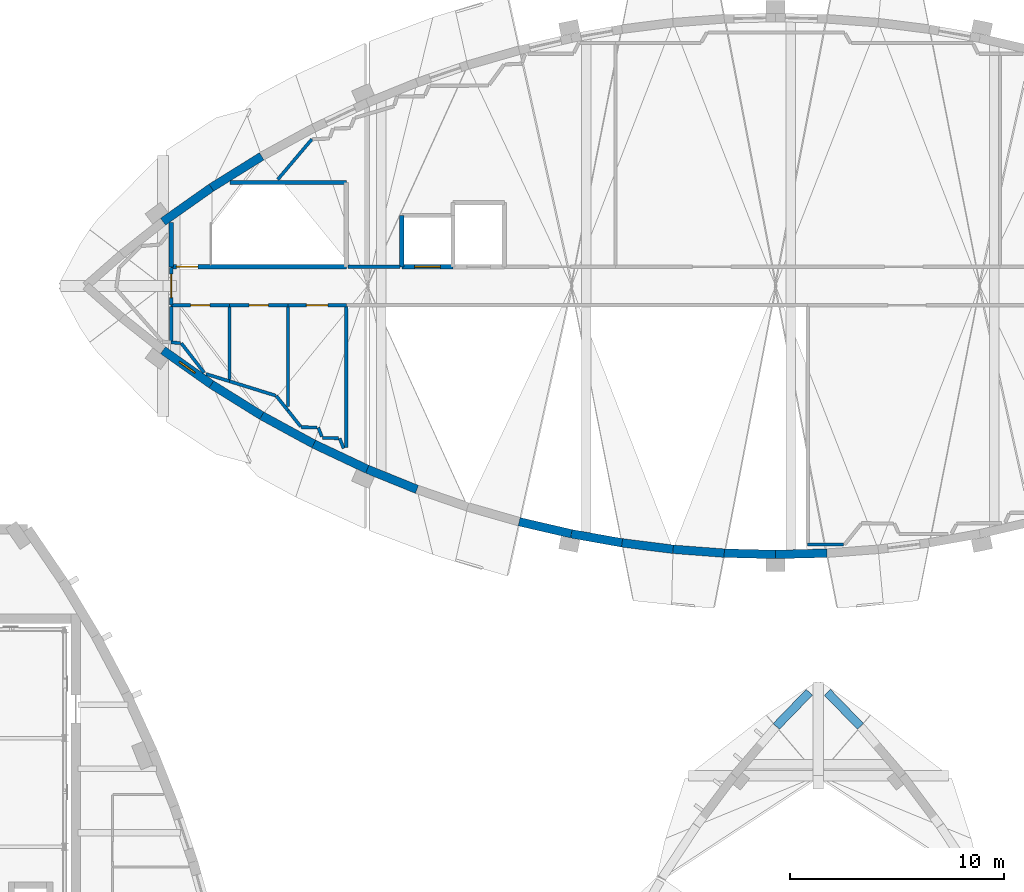
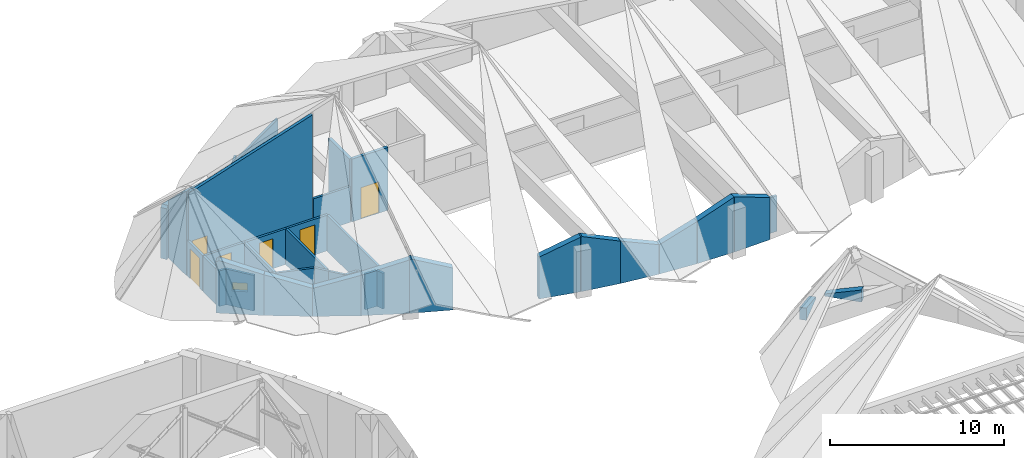
# One storey, part 44 of 56: 41 walls, 6 doors, 1 window, 7 openings.
"""IFC4 building model written with IfcOpenShell, lengths in metres."""

from ifc_helpers import new_model, si_unit, direction, frame, frame_2d, origin, place, context, subcontext, project, spatial, polyline, rectangle, outline, extrude, material, layer, layer_set, type_object, element, fill, save


model = new_model("IFC4")

# Units and contexts
model_context = context("Model", 3, precision=1e-05, world=origin(), true_north=direction((0.0, 1.0)))
body_context = subcontext(model_context, "Body", "Model", "MODEL_VIEW")
ifc_project = project(units=[si_unit("LENGTHUNIT", "METRE"), si_unit("AREAUNIT", "SQUARE_METRE"), si_unit("VOLUMEUNIT", "CUBIC_METRE"), si_unit("PLANEANGLEUNIT", "RADIAN"), si_unit("MASSUNIT", "GRAM", prefix="KILO")], contexts=[model_context])

# Site, building, storey
site_placement = place(None, origin())
site = spatial("IfcSite", under=ifc_project, at=site_placement, CompositionType="ELEMENT")
building_placement = place(site_placement, origin())
building = spatial("IfcBuilding", under=site, at=building_placement, Name="Tide Square Theatres", CompositionType="ELEMENT")
storey_placement = place(building_placement, frame((0.0, 0.0, 10.199951171875)))
storey = spatial("IfcBuildingStorey", under=building, at=storey_placement, Name="L02", CompositionType="ELEMENT", Elevation=10.199951171875)

# Walls
ifc_material_1 = material(Name="Gypsum board on steel studs", Category="steel")
ifc_layer_1 = layer(ifc_material_1, 0.14990234375)
ifc_layer_set_1 = layer_set([ifc_layer_1], Name="Gypsum board on steel studs")
wall_type_1 = type_object("IfcWallType", Name="Partition 150 thick", PredefinedType="PARTITIONING", material=ifc_layer_set_1)
wall_1_placement = place(storey_placement, frame((101.699951171875, 95.22998046875, 0.0), z_axis=(0.0, 0.0, 1.0), x_axis=(0.0, 1.0, 0.0)))
element("IfcWall", 1, at=wall_1_placement, inside=storey, type_object=wall_type_1, Name="Rehearsal Block partition", PredefinedType="PARTITIONING", context=body_context, shape_type="SweptSolid", body=[
    extrude(rectangle(XDim=1.610107421875, YDim=0.14990234375, at=frame_2d((0.80517578125, 0.0))), origin(), (0.0, 0.0, 1.0), 2.5),
])
wall_2_placement = place(storey_placement, frame((103.248779296875, 93.73974609375, 0.0), z_axis=(0.0, 0.0, 1.0), x_axis=(-0.614278072816, 0.789089633221, 0.0)))
element("IfcWall", 2, at=wall_2_placement, inside=storey, type_object=wall_type_1, Name="Rehearsal Block partition", PredefinedType="PARTITIONING", context=body_context, shape_type="SweptSolid", body=[
    extrude(rectangle(XDim=1.752685546875, YDim=0.14990234375, at=frame_2d((0.87646484375, 0.0))), origin(), (0.0, 0.0, 1.0), 2.5),
])
wall_3_placement = place(storey_placement, frame((102.13232421875, 95.1259765625, 0.0), z_axis=(0.0, 0.0, 1.0), x_axis=(-0.996890007863, 0.078805534218, 0.0)))
element("IfcWall", 3, at=wall_3_placement, inside=storey, type_object=wall_type_1, Name="Rehearsal Block partition", PredefinedType="PARTITIONING", context=body_context, shape_type="SweptSolid", body=[
    extrude(rectangle(XDim=0.433837890625, YDim=0.14990234375, at=frame_2d((0.216796875, 0.0))), origin(), (0.0, 0.0, 1.0), 2.5),
])

# Wall, opening, door
wall_4_placement = place(storey_placement, frame((104.433349609375, 96.89990234375, 0.0), z_axis=(0.0, 0.0, 1.0), x_axis=(-1.0, 0.0, 0.0)))
wall_4 = element("IfcWall", 4, at=wall_4_placement, inside=storey, type_object=wall_type_1, Name="Rehearsal Block partition", PredefinedType="PARTITIONING", context=body_context, shape_type="SweptSolid", body=[
    extrude(rectangle(XDim=2.7333984375, YDim=0.14990234375, at=frame_2d((1.36669921875, 0.0))), origin(), (0.0, 0.0, 1.0), 2.5),
])
opening_1_placement = place(wall_4_placement, frame((0.916748046875, 0.0, 0.0)))
opening_1 = element("IfcOpeningElement", 5, at=opening_1_placement, cuts=wall_4, Name="Opening R2-01", PredefinedType="OPENING", context=body_context, shape_type="SweptSolid", body=[
    extrude(rectangle(XDim=0.89990234375, YDim=2.10009765625, at=frame_2d((0.449951171875, 1.050048828125))), frame((0.0, 0.0849609375, 0.0), z_axis=(0.0, -1.0, 0.0), x_axis=(1.0, 0.0, 0.0)), (0.0, 0.0, 1.0), 0.169921875),
])
ifc_material_2 = material(Name="Hardwood timber", Category="wood")
door_type_1 = type_object("IfcDoorType", Name="Door 900 x 2100 single leaf", OperationType="NOTDEFINED", PredefinedType="DOOR", material=ifc_material_2)
door_1_placement = place(opening_1_placement, origin())
door_1 = element("IfcDoor", 6, at=door_1_placement, inside=storey, type_object=door_type_1, Name="Rehearsal Block door R2-01 to Gents WC W", OperationType="SINGLE_SWING_RIGHT", OverallHeight=2.10009765625, OverallWidth=0.89990234375, PredefinedType="DOOR", context=body_context, shape_type="SweptSolid", body=[
    extrude(rectangle(XDim=0.89990234375, YDim=2.10009765625, at=frame_2d((0.449951171875, 1.050048828125))), frame((0.0, 0.02490234375, 0.0), z_axis=(0.0, -1.0, 0.0), x_axis=(1.0, 0.0, 0.0)), (0.0, 0.0, 1.0), 0.050048828125),
])
fill(opening_1, door_1)

wall_5_placement = place(storey_placement, frame((101.699951171875, 96.89990234375, 0.0), z_axis=(0.0, 0.0, 1.0), x_axis=(0.0, 1.0, 0.0)))
wall_5 = element("IfcWall", 7, at=wall_5_placement, inside=storey, type_object=wall_type_1, Name="Rehearsal Block partition", PredefinedType="PARTITIONING", context=body_context, shape_type="SweptSolid", body=[
    extrude(rectangle(XDim=1.77001953125, YDim=0.14990234375, at=frame_2d((0.885009765625, 0.0))), origin(), (0.0, 0.0, 1.0), 2.5),
])
opening_2_placement = place(wall_5_placement, frame((0.35009765625, 0.0, 0.0)))
opening_2 = element("IfcOpeningElement", 8, at=opening_2_placement, cuts=wall_5, Name="Opening R2-07", PredefinedType="OPENING", context=body_context, shape_type="SweptSolid", body=[
    extrude(rectangle(XDim=1.10009765625, YDim=2.10009765625, at=frame_2d((0.550048828125, 1.050048828125))), frame((0.0, 0.0849609375, 0.0), z_axis=(0.0, -1.0, 0.0), x_axis=(1.0, 0.0, 0.0)), (0.0, 0.0, 1.0), 0.169921875),
])
ifc_material_3 = material(Name="Painted steel", Category="steel")
door_type_2 = type_object("IfcDoorType", Name="Door 1100 x 2100 single leaf", OperationType="NOTDEFINED", PredefinedType="DOOR", material=ifc_material_3)
door_2_placement = place(opening_2_placement, origin())
door_2 = element("IfcDoor", 9, at=door_2_placement, inside=storey, type_object=door_type_2, Name="Rehearsal Block door R2-07 to Plant Room W", OperationType="SINGLE_SWING_RIGHT", OverallHeight=2.10009765625, OverallWidth=1.10009765625, PredefinedType="DOOR", context=body_context, shape_type="SweptSolid", body=[
    extrude(rectangle(XDim=1.10009765625, YDim=2.10009765625, at=frame_2d((0.550048828125, 1.050048828125))), frame((0.0, 0.02490234375, 0.0), z_axis=(0.0, -1.0, 0.0), x_axis=(1.0, 0.0, 0.0)), (0.0, 0.0, 1.0), 0.050048828125),
])
fill(opening_2, door_2)

# Walls
wall_6_placement = place(storey_placement, frame((104.433349609375, 93.33935546875, 0.0), z_axis=(0.0, 0.0, 1.0), x_axis=(-0.955020738083, 0.296539019072, 0.0)))
element("IfcWall", 10, at=wall_6_placement, inside=storey, type_object=wall_type_1, Name="Rehearsal Block partition", PredefinedType="PARTITIONING", context=body_context, shape_type="SweptSolid", body=[
    extrude(rectangle(XDim=1.153564453125, YDim=0.14990234375, at=frame_2d((0.57666015625, 0.0))), origin(), (0.0, 0.0, 1.0), 2.5),
])
wall_7_placement = place(storey_placement, frame((104.433349609375, 96.840087890625, 0.0), z_axis=(0.0, 0.0, 1.0), x_axis=(0.0, -1.0, 0.0)))
element("IfcWall", 11, at=wall_7_placement, inside=storey, type_object=wall_type_1, Name="Rehearsal Block partition", PredefinedType="PARTITIONING", context=body_context, shape_type="SweptSolid", body=[
    extrude(rectangle(XDim=3.41064453125, YDim=0.14990234375, at=frame_2d((1.705322265625, 0.0))), origin(), (0.0, 0.0, 1.0), 2.5),
])
wall_8_placement = place(storey_placement, frame((107.166748046875, 91.971435546875, 0.0), z_axis=(0.0, 0.0, 1.0), x_axis=(-0.622427080418, 0.782677794218, 0.0)))
element("IfcWall", 12, at=wall_8_placement, inside=storey, type_object=wall_type_1, Name="Rehearsal Block partition", PredefinedType="PARTITIONING", context=body_context, shape_type="SweptSolid", body=[
    extrude(rectangle(XDim=0.880615234375, YDim=0.14990234375, at=frame_2d((0.4404296875, 0.0))), origin(), (0.0, 0.0, 1.0), 2.5),
])
wall_9_placement = place(storey_placement, frame((106.590087890625, 92.66943359375, 0.0), z_axis=(0.0, 0.0, 1.0), x_axis=(-0.954990240033, 0.296637221944, 0.0)))
element("IfcWall", 13, at=wall_9_placement, inside=storey, type_object=wall_type_1, Name="Rehearsal Block partition", PredefinedType="PARTITIONING", context=body_context, shape_type="SweptSolid", body=[
    extrude(rectangle(XDim=2.25830078125, YDim=0.14990234375, at=frame_2d((1.129150390625, 0.0))), origin(), (0.0, 0.0, 1.0), 2.5),
])

# Wall, opening, door
wall_10_placement = place(storey_placement, frame((107.166748046875, 96.89990234375, 0.0), z_axis=(0.0, 0.0, 1.0), x_axis=(-1.0, 0.0, 0.0)))
wall_10 = element("IfcWall", 14, at=wall_10_placement, inside=storey, type_object=wall_type_1, Name="Rehearsal Block partition", PredefinedType="PARTITIONING", context=body_context, shape_type="SweptSolid", body=[
    extrude(rectangle(XDim=2.7333984375, YDim=0.14990234375, at=frame_2d((1.36669921875, 0.0))), origin(), (0.0, 0.0, 1.0), 2.5),
])
opening_3_placement = place(wall_10_placement, frame((0.916748046875, 0.0, 0.0)))
opening_3 = element("IfcOpeningElement", 15, at=opening_3_placement, cuts=wall_10, Name="Opening R2-02", PredefinedType="OPENING", context=body_context, shape_type="SweptSolid", body=[
    extrude(rectangle(XDim=0.89990234375, YDim=2.10009765625, at=frame_2d((0.449951171875, 1.050048828125))), frame((0.0, 0.0849609375, 0.0), z_axis=(0.0, -1.0, 0.0), x_axis=(1.0, 0.0, 0.0)), (0.0, 0.0, 1.0), 0.169921875),
])
door_3_placement = place(opening_3_placement, origin())
door_3 = element("IfcDoor", 16, at=door_3_placement, inside=storey, type_object=door_type_1, Name="Rehearsal Block door R2-02 to Ladies WC W", OperationType="SINGLE_SWING_RIGHT", OverallHeight=2.10009765625, OverallWidth=0.89990234375, PredefinedType="DOOR", context=body_context, shape_type="SweptSolid", body=[
    extrude(rectangle(XDim=0.89990234375, YDim=2.10009765625, at=frame_2d((0.449951171875, 1.050048828125))), frame((0.0, 0.02490234375, 0.0), z_axis=(0.0, -1.0, 0.0), x_axis=(1.0, 0.0, 0.0)), (0.0, 0.0, 1.0), 0.050048828125),
])
fill(opening_3, door_3)

# Walls
wall_11_placement = place(storey_placement, frame((106.68798828125, 102.78369140625, 0.0), z_axis=(0.0, 0.0, 1.0), x_axis=(0.646512930944, 0.762903027994, 0.0)))
element("IfcWall", 17, at=wall_11_placement, inside=storey, type_object=wall_type_1, Name="Rehearsal Block partition", PredefinedType="PARTITIONING", context=body_context, shape_type="SweptSolid", body=[
    extrude(rectangle(XDim=2.47314453125, YDim=0.14990234375, at=frame_2d((1.236572265625, 0.0))), origin(), (0.0, 0.0, 1.0), 2.5),
])
wall_12_placement = place(storey_placement, frame((107.166748046875, 96.840087890625, 0.0), z_axis=(0.0, 0.0, 1.0), x_axis=(0.0, -1.0, 0.0)))
element("IfcWall", 18, at=wall_12_placement, inside=storey, type_object=wall_type_1, Name="Rehearsal Block partition", PredefinedType="PARTITIONING", context=body_context, shape_type="SweptSolid", body=[
    extrude(rectangle(XDim=4.6787109375, YDim=0.14990234375, at=frame_2d((2.33935546875, 0.0))), origin(), (0.0, 0.0, 1.0), 2.5),
])
wall_13_placement = place(storey_placement, frame((109.776123046875, 90.198486328125, 0.0), z_axis=(0.0, 0.0, 1.0), x_axis=(-0.372303942527, 0.928110863194, 0.0)))
element("IfcWall", 19, at=wall_13_placement, inside=storey, type_object=wall_type_1, Name="Rehearsal Block partition", PredefinedType="PARTITIONING", context=body_context, shape_type="SweptSolid", body=[
    extrude(rectangle(XDim=0.5068359375, YDim=0.14990234375, at=frame_2d((0.25341796875, 0.0))), origin(), (0.0, 0.0, 1.0), 2.5),
])
wall_14_placement = place(storey_placement, frame((109.53759765625, 90.67041015625, 0.0), z_axis=(0.0, 0.0, 1.0), x_axis=(-0.999590248074, 0.02862404507, 0.0)))
element("IfcWall", 20, at=wall_14_placement, inside=storey, type_object=wall_type_1, Name="Rehearsal Block partition", PredefinedType="PARTITIONING", context=body_context, shape_type="SweptSolid", body=[
    extrude(rectangle(XDim=0.759033203125, YDim=0.14990234375, at=frame_2d((0.37939453125, 0.0))), origin(), (0.0, 0.0, 1.0), 2.5),
])
wall_15_placement = place(storey_placement, frame((108.75634765625, 90.747802734375, 0.0), z_axis=(0.0, 0.0, 1.0), x_axis=(-0.372318132343, 0.928105170942, 0.0)))
element("IfcWall", 21, at=wall_15_placement, inside=storey, type_object=wall_type_1, Name="Rehearsal Block partition", PredefinedType="PARTITIONING", context=body_context, shape_type="SweptSolid", body=[
    extrude(rectangle(XDim=0.453857421875, YDim=0.14990234375, at=frame_2d((0.22705078125, 0.0))), origin(), (0.0, 0.0, 1.0), 2.5),
])
wall_16_placement = place(storey_placement, frame((108.53759765625, 91.17041015625, 0.0), z_axis=(0.0, 0.0, 1.0), x_axis=(-0.999591291149, 0.028587596237, 0.0)))
element("IfcWall", 22, at=wall_16_placement, inside=storey, type_object=wall_type_1, Name="Rehearsal Block partition", PredefinedType="PARTITIONING", context=body_context, shape_type="SweptSolid", body=[
    extrude(rectangle(XDim=0.75146484375, YDim=0.14990234375, at=frame_2d((0.375732421875, 0.0))), origin(), (0.0, 0.0, 1.0), 2.5),
])
wall_17_placement = place(storey_placement, frame((107.761474609375, 91.22314453125, 0.0), z_axis=(0.0, 0.0, 1.0), x_axis=(-0.622199976872, 0.782858345284, 0.0)))
element("IfcWall", 23, at=wall_17_placement, inside=storey, type_object=wall_type_1, Name="Rehearsal Block partition", PredefinedType="PARTITIONING", context=body_context, shape_type="SweptSolid", body=[
    extrude(rectangle(XDim=0.955810546875, YDim=0.14990234375, at=frame_2d((0.47802734375, 0.0))), origin(), (0.0, 0.0, 1.0), 2.5),
])

# Wall, opening, door
wall_18_placement = place(storey_placement, frame((109.89990234375, 96.89990234375, 0.0), z_axis=(0.0, 0.0, 1.0), x_axis=(-1.0, 0.0, 0.0)))
wall_18 = element("IfcWall", 24, at=wall_18_placement, inside=storey, type_object=wall_type_1, Name="Rehearsal Block partition", PredefinedType="PARTITIONING", context=body_context, shape_type="SweptSolid", body=[
    extrude(rectangle(XDim=2.733154296875, YDim=0.14990234375, at=frame_2d((1.36669921875, 0.0))), origin(), (0.0, 0.0, 1.0), 2.5),
])
opening_4_placement = place(wall_18_placement, frame((0.86669921875, 0.0, 0.0)))
opening_4 = element("IfcOpeningElement", 25, at=opening_4_placement, cuts=wall_18, Name="Opening R2-03", PredefinedType="OPENING", context=body_context, shape_type="SweptSolid", body=[
    extrude(rectangle(XDim=1.0, YDim=2.10009765625, at=frame_2d((0.5, 1.050048828125))), frame((0.0, 0.0849609375, 0.0), z_axis=(0.0, -1.0, 0.0), x_axis=(1.0, 0.0, 0.0)), (0.0, 0.0, 1.0), 0.169921875),
])
ifc_material_4 = material(Name="Hardwood timber", Category="wood")
door_type_3 = type_object("IfcDoorType", Name="Door 1000 x 2100 single leaf", OperationType="NOTDEFINED", PredefinedType="DOOR", material=ifc_material_4)
door_4_placement = place(opening_4_placement, origin())
door_4 = element("IfcDoor", 26, at=door_4_placement, inside=storey, type_object=door_type_3, Name="Rehearsal Block door R2-03 to Accessible WC W", OperationType="SINGLE_SWING_RIGHT", OverallHeight=2.10009765625, OverallWidth=1.0, PredefinedType="DOOR", context=body_context, shape_type="SweptSolid", body=[
    extrude(rectangle(XDim=1.0, YDim=2.10009765625, at=frame_2d((0.5, 1.050048828125))), frame((0.0, 0.02490234375, 0.0), z_axis=(0.0, -1.0, 0.0), x_axis=(1.0, 0.0, 0.0)), (0.0, 0.0, 1.0), 0.050048828125),
])
fill(opening_4, door_4)

# Walls
wall_19_placement = place(storey_placement, frame((109.89990234375, 96.840087890625, 0.0), z_axis=(0.0, 0.0, 1.0), x_axis=(0.0, -1.0, 0.0)))
element("IfcWall", 27, at=wall_19_placement, inside=storey, type_object=wall_type_1, Name="Rehearsal Block partition", PredefinedType="PARTITIONING", context=body_context, shape_type="SweptSolid", body=[
    extrude(rectangle(XDim=6.6083984375, YDim=0.14990234375, at=frame_2d((3.30419921875, 0.0))), origin(), (0.0, 0.0, 1.0), 2.5),
])
wall_20_placement = place(storey_placement, frame((109.97998046875, 98.699951171875, 0.0), z_axis=(0.0, 0.0, 1.0), x_axis=(1.0, 0.0, 0.0)))
element("IfcWall", 28, at=wall_20_placement, inside=storey, type_object=wall_type_1, Name="Rehearsal Block partition", PredefinedType="PARTITIONING", context=body_context, shape_type="SweptSolid", body=[
    extrude(rectangle(XDim=2.43994140625, YDim=0.14990234375, at=frame_2d((1.219970703125, 0.0))), origin(), (0.0, 0.0, 1.0), 2.5),
])
wall_21_placement = place(storey_placement, frame((133.17529296875, 85.691650390625, 0.0), z_axis=(0.0, 0.0, 1.0), x_axis=(-1.0, 0.0, 0.0)))
element("IfcWall", 29, at=wall_21_placement, inside=storey, type_object=wall_type_1, Name="Rehearsal Block partition", PredefinedType="PARTITIONING", context=body_context, shape_type="SweptSolid", body=[
    extrude(rectangle(XDim=1.67529296875, YDim=0.14990234375, at=frame_2d((0.837646484375, 0.0))), origin(), (0.0, 0.0, 1.0), 2.5),
])
ifc_material_5 = material(Name="Concrete C40", Category="concrete")
ifc_layer_2 = layer(ifc_material_5, 0.39990234375)
ifc_layer_set_2 = layer_set([ifc_layer_2], Name="Concrete C40")
wall_type_2 = type_object("IfcWallType", Name="RC curved wall 400 thick", PredefinedType="SOLIDWALL", material=ifc_layer_set_2)
wall_22_placement = place(storey_placement, frame((133.967529296875, 77.184814453125, 0.0), z_axis=(0.0, 0.0, 1.0), x_axis=(-0.696298740518, 0.717752090873, 0.0)))
element("IfcWall", 30, at=wall_22_placement, inside=storey, type_object=wall_type_2, Name="Black Box Theatre perimeter wall", PredefinedType="SOLIDWALL", context=body_context, shape_type="SweptSolid", body=[
    extrude(outline(polyline([(0.0, 0.0), (2.218994140625, 0.0), (2.218994140625, 0.150146484375), (0.0, 0.854736328125), (0.0, 0.0)])), frame((0.0, 0.199951171875, 0.0), z_axis=(0.0, -1.0, 0.0), x_axis=(1.0, 0.0, 0.0)), (0.0, 0.0, 1.0), 0.39990234375),
])
wall_23_placement = place(storey_placement, frame((131.578125, 78.778076171875, 0.0), z_axis=(0.0, 0.0, 1.0), x_axis=(-0.696302127587, -0.717748805028, 0.0)))
element("IfcWall", 31, at=wall_23_placement, inside=storey, type_object=wall_type_2, Name="Black Box Theatre perimeter wall", PredefinedType="SOLIDWALL", context=body_context, shape_type="SweptSolid", body=[
    extrude(outline(polyline([(0.0, 0.0), (2.2197265625, 0.0), (2.2197265625, 0.85546875), (2.20751953125, 0.85302734375), (0.0, 0.150146484375), (0.0, 0.0)])), frame((0.0, 0.199951171875, 0.0), z_axis=(0.0, -1.0, 0.0), x_axis=(1.0, 0.0, 0.0)), (0.0, 0.0, 1.0), 0.39990234375),
])

# Wall, opening, window
wall_24_placement = place(storey_placement, frame((101.31982421875, 94.79150390625, 0.0), z_axis=(0.0, 0.0, 1.0), x_axis=(0.817028877428, -0.576596751161, 0.0)))
wall_24 = element("IfcWall", 32, at=wall_24_placement, inside=storey, type_object=wall_type_2, Name="Rehearsal Block perimeter wall 002", PredefinedType="SOLIDWALL", context=body_context, shape_type="SweptSolid", body=[
    extrude(outline(polyline([(0.0, 0.0), (2.772216796875, 0.0), (2.772216796875, 2.848388671875), (2.405517578125, 2.967529296875), (0.310546875, 3.6474609375), (0.16943359375, 3.693359375), (0.0, 3.554931640625), (0.0, 0.0)])), frame((0.0, 0.199951171875, 0.0), z_axis=(0.0, -1.0, 0.0), x_axis=(1.0, 0.0, 0.0)), (0.0, 0.0, 1.0), 0.39990234375),
])
opening_5_placement = place(wall_24_placement, frame((0.93603515625, 0.0, 1.60009765625)))
opening_5 = element("IfcOpeningElement", 33, at=opening_5_placement, cuts=wall_24, Name="Opening WN-12", PredefinedType="OPENING", context=body_context, shape_type="SweptSolid", body=[
    extrude(rectangle(XDim=0.89990234375, YDim=0.60009765625, at=frame_2d((0.449951171875, 0.300048828125))), frame((0.0, 0.2099609375, 0.0), z_axis=(0.0, -1.0, 0.0), x_axis=(1.0, 0.0, 0.0)), (0.0, 0.0, 1.0), 0.419921875),
])
ifc_material_6 = material(Name="Aluminium with laminated glass", Category="aluminium")
window_type = type_object("IfcWindowType", Name="Window 900 x 600", PartitioningType="SINGLE_PANEL", PredefinedType="WINDOW", material=ifc_material_6)
window_placement = place(opening_5_placement, origin())
window = element("IfcWindow", 34, at=window_placement, inside=storey, type_object=window_type, Name="Rehearsal Block window L02-91", OverallHeight=0.60009765625, OverallWidth=0.89990234375, PartitioningType="SINGLE_PANEL", PredefinedType="WINDOW", context=body_context, shape_type="SweptSolid", body=[
    extrude(rectangle(XDim=0.89990234375, YDim=0.60009765625, at=frame_2d((0.449951171875, 0.300048828125))), frame((0.0, 0.030029296875, 0.0), z_axis=(0.0, -1.0, 0.0), x_axis=(1.0, 0.0, 0.0)), (0.0, 0.0, 1.0), 0.06005859375),
])
fill(opening_5, window)

# Walls
wall_25_placement = place(storey_placement, frame((103.584716796875, 93.193115234375, 0.0), z_axis=(0.0, 0.0, 1.0), x_axis=(0.84912946359, -0.528184772653, 0.0)))
element("IfcWall", 35, at=wall_25_placement, inside=storey, type_object=wall_type_2, Name="Rehearsal Block perimeter wall 003", PredefinedType="SOLIDWALL", context=body_context, shape_type="SweptSolid", body=[
    extrude(outline(polyline([(0.0, 0.0), (2.77197265625, 0.0), (2.771728515625, 1.969970703125), (2.24658203125, 2.140380859375), (0.32080078125, 2.75732421875), (0.0, 2.844970703125), (0.0, 0.0)])), frame((0.0, 0.199951171875, 0.0), z_axis=(0.0, -1.0, 0.0), x_axis=(1.0, 0.0, 0.0)), (0.0, 0.0, 1.0), 0.39990234375),
])
wall_26_placement = place(storey_placement, frame((105.9384765625, 91.72900390625, 0.0), z_axis=(0.0, 0.0, 1.0), x_axis=(0.878292493566, -0.478123724308, 0.0)))
element("IfcWall", 36, at=wall_26_placement, inside=storey, type_object=wall_type_2, Name="Rehearsal Block perimeter wall 004", PredefinedType="SOLIDWALL", context=body_context, shape_type="SweptSolid", body=[
    extrude(outline(polyline([(0.0, 0.0), (2.771728515625, 0.0), (2.771728515625, 2.833251953125), (2.737060546875, 2.82177734375), (0.0, 1.96630859375), (0.0, 0.0)])), frame((0.0, 0.199951171875, 0.0), z_axis=(0.0, -1.0, 0.0), x_axis=(1.0, 0.0, 0.0)), (0.0, 0.0, 1.0), 0.39990234375),
])
wall_27_placement = place(storey_placement, frame((108.372802734375, 90.40380859375, 0.0), z_axis=(0.0, 0.0, 1.0), x_axis=(0.904527098751, -0.42641614372, 0.0)))
element("IfcWall", 37, at=wall_27_placement, inside=storey, type_object=wall_type_2, Name="Rehearsal Block perimeter wall 005", PredefinedType="SOLIDWALL", context=body_context, shape_type="SweptSolid", body=[
    extrude(outline(polyline([(0.0, 0.0), (2.772216796875, 0.0), (2.772216796875, 3.741943359375), (2.752685546875, 3.735595703125), (2.658447265625, 3.705078125), (2.564208984375, 3.674560546875), (0.0, 2.837158203125), (0.0, 0.0)])), frame((0.0, 0.199951171875, 0.0), z_axis=(0.0, -1.0, 0.0), x_axis=(1.0, 0.0, 0.0)), (0.0, 0.0, 1.0), 0.39990234375),
])
wall_28_placement = place(storey_placement, frame((110.88037109375, 89.2216796875, 0.0), z_axis=(0.0, 0.0, 1.0), x_axis=(0.926722795862, -0.375745738007, 0.0)))
element("IfcWall", 38, at=wall_28_placement, inside=storey, type_object=wall_type_2, Name="Rehearsal Block perimeter wall 006", PredefinedType="SOLIDWALL", context=body_context, shape_type="SweptSolid", body=[
    extrude(outline(polyline([(0.0, 0.0), (2.5107421875, 0.0), (2.5107421875, 2.939697265625), (2.36669921875, 2.991455078125), (0.192138671875, 3.770751953125), (0.111083984375, 3.800048828125), (0.0, 3.745849609375), (0.0, 0.0)])), frame((0.0, 0.199951171875, 0.0), z_axis=(0.0, -1.0, 0.0), x_axis=(1.0, 0.0, 0.0)), (0.0, 0.0, 1.0), 0.39990234375),
])
wall_29_placement = place(storey_placement, frame((117.99365234375, 86.763671875, 0.0), z_axis=(0.0, 0.0, 1.0), x_axis=(0.974210649093, -0.225640446716, 0.0)))
element("IfcWall", 39, at=wall_29_placement, inside=storey, type_object=wall_type_2, Name="Rehearsal Block perimeter wall 009", PredefinedType="SOLIDWALL", context=body_context, shape_type="SweptSolid", body=[
    extrude(outline(polyline([(0.0, 0.0), (2.51123046875, 0.0), (2.51123046875, 3.828857421875), (2.4716796875, 3.814697265625), (2.379150390625, 3.781494140625), (0.0, 2.9267578125), (0.0, 0.0)])), frame((0.0, 0.199951171875, 0.0), z_axis=(0.0, -1.0, 0.0), x_axis=(1.0, 0.0, 0.0)), (0.0, 0.0, 1.0), 0.39990234375),
])
wall_30_placement = place(storey_placement, frame((120.440185546875, 86.197021484375, 0.0), z_axis=(0.0, 0.0, 1.0), x_axis=(0.984524011381, -0.175249738987, 0.0)))
element("IfcWall", 40, at=wall_30_placement, inside=storey, type_object=wall_type_2, Name="Rehearsal Block perimeter wall 010", PredefinedType="SOLIDWALL", context=body_context, shape_type="SweptSolid", body=[
    extrude(outline(polyline([(0.0, 0.0), (2.406005859375, 0.0), (2.406005859375, 2.97314453125), (2.328125, 3.002197265625), (0.084716796875, 3.841552734375), (0.0, 3.832763671875), (0.0, 0.0)])), frame((0.0, 0.199951171875, 0.0), z_axis=(0.0, -1.0, 0.0), x_axis=(1.0, 0.0, 0.0)), (0.0, 0.0, 1.0), 0.39990234375),
])
wall_31_placement = place(storey_placement, frame((122.808837890625, 85.775390625, 0.0), z_axis=(0.0, 0.0, 1.0), x_axis=(0.99208939311, -0.125533406227, 0.0)))
element("IfcWall", 41, at=wall_31_placement, inside=storey, type_object=wall_type_2, Name="Rehearsal Block perimeter wall 011", PredefinedType="SOLIDWALL", context=body_context, shape_type="SweptSolid", body=[
    extrude(outline(polyline([(0.0, 0.0), (2.40576171875, 0.0), (2.406005859375, 2.0703125), (2.298095703125, 2.110595703125), (0.06640625, 2.945556640625), (0.0, 2.969482421875), (0.0, 0.0)])), frame((0.0, 0.199951171875, 0.0), z_axis=(0.0, -1.0, 0.0), x_axis=(1.0, 0.0, 0.0)), (0.0, 0.0, 1.0), 0.39990234375),
])
wall_32_placement = place(storey_placement, frame((125.195556640625, 85.473388671875, 0.0), z_axis=(0.0, 0.0, 1.0), x_axis=(0.997146276918, -0.075493724435, 0.0)))
element("IfcWall", 42, at=wall_32_placement, inside=storey, type_object=wall_type_2, Name="Rehearsal Block perimeter wall 012", PredefinedType="SOLIDWALL", context=body_context, shape_type="SweptSolid", body=[
    extrude(outline(polyline([(0.0, 0.0), (2.406005859375, 0.0), (2.406005859375, 2.955322265625), (2.383056640625, 2.947265625), (0.06103515625, 2.077392578125), (0.0, 2.066650390625), (0.0, 0.0)])), frame((0.0, 0.199951171875, 0.0), z_axis=(0.0, -1.0, 0.0), x_axis=(1.0, 0.0, 0.0)), (0.0, 0.0, 1.0), 0.39990234375),
])
wall_33_placement = place(storey_placement, frame((127.5947265625, 85.291748046875, 0.0), z_axis=(0.0, 0.0, 1.0), x_axis=(0.999683321759, -0.025164582196, 0.0)))
element("IfcWall", 43, at=wall_33_placement, inside=storey, type_object=wall_type_2, Name="Rehearsal Block perimeter wall 013", PredefinedType="SOLIDWALL", context=body_context, shape_type="SweptSolid", body=[
    extrude(outline(polyline([(0.0, 0.0), (2.406005859375, 0.0), (2.406005859375, 3.85888671875), (2.33251953125, 3.831298828125), (0.0, 2.958740234375), (0.0, 0.0)])), frame((0.0, 0.199951171875, 0.0), z_axis=(0.0, -1.0, 0.0), x_axis=(1.0, 0.0, 0.0)), (0.0, 0.0, 1.0), 0.39990234375),
])
wall_34_placement = place(storey_placement, frame((130.0, 85.231201171875, 0.0), z_axis=(0.0, 0.0, 1.0), x_axis=(0.999683321759, 0.025164582196, 0.0)))
element("IfcWall", 44, at=wall_34_placement, inside=storey, type_object=wall_type_2, Name="Rehearsal Block perimeter wall 014", PredefinedType="SOLIDWALL", context=body_context, shape_type="SweptSolid", body=[
    extrude(outline(polyline([(0.0, 0.0), (2.406005859375, 0.0), (2.406005859375, 2.958740234375), (2.372802734375, 2.971435546875), (0.0634765625, 3.835205078125), (0.0, 3.85888671875), (0.0, 0.0)])), frame((0.0, 0.199951171875, 0.0), z_axis=(0.0, -1.0, 0.0), x_axis=(1.0, 0.0, 0.0)), (0.0, 0.0, 1.0), 0.39990234375),
])
wall_35_placement = place(storey_placement, frame((105.9384765625, 103.870849609375, 0.0), z_axis=(0.0, 0.0, 1.0), x_axis=(-0.84912946359, -0.528184772653, 0.0)))
element("IfcWall", 45, at=wall_35_placement, inside=storey, type_object=wall_type_2, Name="Rehearsal Block perimeter wall 052", PredefinedType="SOLIDWALL", context=body_context, shape_type="SweptSolid", body=[
    extrude(outline(polyline([(0.0, 0.0), (2.77197265625, 0.0), (2.771728515625, 2.844970703125), (2.450927734375, 2.765625), (0.525146484375, 2.140380859375), (0.0, 1.969970703125), (0.0, 0.0)])), frame((0.0, 0.199951171875, 0.0), z_axis=(0.0, -1.0, 0.0), x_axis=(1.0, 0.0, 0.0)), (0.0, 0.0, 1.0), 0.39990234375),
])
wall_36_placement = place(storey_placement, frame((103.584716796875, 102.40673828125, 0.0), z_axis=(0.0, 0.0, 1.0), x_axis=(-0.817070367038, -0.57653795652, 0.0)))
element("IfcWall", 46, at=wall_36_placement, inside=storey, type_object=wall_type_2, Name="Rehearsal Block perimeter wall 053", PredefinedType="SOLIDWALL", context=body_context, shape_type="SweptSolid", body=[
    extrude(outline(polyline([(0.0, 0.0), (2.77197265625, 0.0), (2.772216796875, 3.554931640625), (2.743896484375, 3.567626953125), (2.602783203125, 3.693359375), (2.461669921875, 3.6474609375), (0.36669921875, 2.967529296875), (0.0, 2.848388671875), (0.0, 0.0)])), frame((0.0, 0.199951171875, 0.0), z_axis=(0.0, -1.0, 0.0), x_axis=(1.0, 0.0, 0.0)), (0.0, 0.0, 1.0), 0.39990234375),
])
ifc_material_7 = material(Name="Concrete C40", Category="concrete")
ifc_layer_3 = layer(ifc_material_7, 0.199951171875)
ifc_layer_set_3 = layer_set([ifc_layer_3], Name="Concrete C40")
wall_type_3 = type_object("IfcWallType", Name="RC shear wall 200 thick", PredefinedType="SHEAR", material=ifc_layer_set_3)
wall_37_placement = place(storey_placement, frame((104.448974609375, 102.64990234375, 0.0), z_axis=(0.0, 0.0, 1.0), x_axis=(1.0, 0.0, 0.0)))
element("IfcWall", 47, at=wall_37_placement, inside=storey, type_object=wall_type_3, Name="Rehearsal Block stair enclosure wall", PredefinedType="SHEAR", context=body_context, shape_type="SweptSolid", body=[
    extrude(outline(polyline([(0.0, 0.0), (5.450927734375, 0.0), (5.450927734375, 5.721435546875), (4.82080078125, 5.29345703125), (4.753173828125, 5.243896484375), (2.564697265625, 3.646240234375), (2.483154296875, 3.5869140625), (2.40185546875, 3.51904296875), (0.63671875, 2.948486328125), (0.560546875, 2.959228515625), (0.484375, 2.947509765625), (0.0, 2.87158203125), (0.0, 0.0)])), frame((0.0, 0.10009765625, 0.0), z_axis=(0.0, -1.0, 0.0), x_axis=(1.0, 0.0, 0.0)), (0.0, 0.0, 1.0), 0.199951171875),
])

# Wall, opening, door
wall_38_placement = place(storey_placement, frame((109.89990234375, 98.699951171875, 0.0), z_axis=(0.0, 0.0, 1.0), x_axis=(-1.0, 0.0, 0.0)))
wall_38 = element("IfcWall", 48, at=wall_38_placement, inside=storey, type_object=wall_type_3, Name="Rehearsal Block stair enclosure wall", PredefinedType="SHEAR", context=body_context, shape_type="SweptSolid", body=[
    extrude(outline(polyline([(0.0, 0.0), (8.199951171875, 0.0), (8.199951171875, 5.845458984375), (8.18701171875, 5.8486328125), (8.08837890625, 5.881103515625), (7.9716796875, 5.8994140625), (7.8955078125, 5.911376953125), (7.8193359375, 5.900634765625), (0.0, 8.42724609375), (0.0, 0.0)])), frame((0.0, 0.10009765625, 0.0), z_axis=(0.0, -1.0, 0.0), x_axis=(1.0, 0.0, 0.0)), (0.0, 0.0, 1.0), 0.199951171875),
])
opening_6_placement = place(wall_38_placement, frame((6.949951171875, 0.0, 0.0)))
opening_6 = element("IfcOpeningElement", 49, at=opening_6_placement, cuts=wall_38, Name="Opening R2-15", PredefinedType="OPENING", context=body_context, shape_type="SweptSolid", body=[
    extrude(rectangle(XDim=1.0, YDim=2.39990234375, at=frame_2d((0.5, 1.199951171875))), frame((0.0, 0.10986328125, 0.0), z_axis=(0.0, -1.0, 0.0), x_axis=(1.0, 0.0, 0.0)), (0.0, 0.0, 1.0), 0.219970703125),
])
ifc_material_8 = material(Name="Hardwood timber", Category="wood")
door_type_4 = type_object("IfcDoorType", Name="Door 1000 x 2400 single leaf", OperationType="NOTDEFINED", PredefinedType="DOOR", material=ifc_material_8)
door_5_placement = place(opening_6_placement, origin())
door_5 = element("IfcDoor", 50, at=door_5_placement, inside=storey, type_object=door_type_4, Name="Rehearsal Block door R2-15 stair door to Stair 1", OperationType="SINGLE_SWING_RIGHT", OverallHeight=2.39990234375, OverallWidth=1.0, PredefinedType="DOOR", context=body_context, shape_type="SweptSolid", body=[
    extrude(rectangle(XDim=1.0, YDim=2.39990234375, at=frame_2d((0.5, 1.199951171875))), frame((0.0, 0.02490234375, 0.0), z_axis=(0.0, -1.0, 0.0), x_axis=(1.0, 0.0, 0.0)), (0.0, 0.0, 1.0), 0.050048828125),
])
fill(opening_6, door_5)

# Wall
wall_39_placement = place(storey_placement, frame((101.699951171875, 98.699951171875, 0.0), z_axis=(0.0, 0.0, 1.0), x_axis=(0.0, 1.0, 0.0)))
element("IfcWall", 51, at=wall_39_placement, inside=storey, type_object=wall_type_3, Name="Rehearsal Block stair enclosure wall", PredefinedType="SHEAR", context=body_context, shape_type="SweptSolid", body=[
    extrude(outline(polyline([(0.0, 0.0), (2.07080078125, 0.0), (2.07080078125, 4.028076171875), (0.07666015625, 5.84228515625), (0.0, 5.912109375), (0.0, 0.0)])), frame((0.0, 0.10009765625, 0.0), z_axis=(0.0, -1.0, 0.0), x_axis=(1.0, 0.0, 0.0)), (0.0, 0.0, 1.0), 0.199951171875),
])

# Wall, opening, door
wall_40_placement = place(storey_placement, frame((114.89990234375, 98.699951171875, 0.0), z_axis=(0.0, 0.0, 1.0), x_axis=(-1.0, 0.0, 0.0)))
wall_40 = element("IfcWall", 52, at=wall_40_placement, inside=storey, type_object=wall_type_3, Name="Rehearsal Block lift shaft wall", PredefinedType="SHEAR", context=body_context, shape_type="SweptSolid", body=[
    extrude(rectangle(XDim=2.39990234375, YDim=0.199951171875, at=frame_2d((1.199951171875, 0.0))), origin(), (0.0, 0.0, 1.0), 4.400146484375),
])
opening_7_placement = place(wall_40_placement, frame((0.60009765625, 0.0, 0.0)))
opening_7 = element("IfcOpeningElement", 53, at=opening_7_placement, cuts=wall_40, Name="Opening LD-R1-2", PredefinedType="OPENING", context=body_context, shape_type="SweptSolid", body=[
    extrude(rectangle(XDim=1.199951171875, YDim=2.199951171875, at=frame_2d((0.60009765625, 1.10009765625))), frame((0.0, 0.10986328125, 0.0), z_axis=(0.0, -1.0, 0.0), x_axis=(1.0, 0.0, 0.0)), (0.0, 0.0, 1.0), 0.219970703125),
])
ifc_material_9 = material(Name="Painted steel", Category="steel")
door_type_5 = type_object("IfcDoorType", Name="Door 1200 x 2200 sliding", OperationType="SLIDING_TO_LEFT", PredefinedType="DOOR", material=ifc_material_9)
door_6_placement = place(opening_7_placement, origin())
door_6 = element("IfcDoor", 54, at=door_6_placement, inside=storey, type_object=door_type_5, Name="Rehearsal Block lift landing door 1 L02", OperationType="SLIDING_TO_LEFT", OverallHeight=2.199951171875, OverallWidth=1.199951171875, PredefinedType="DOOR", context=body_context, shape_type="SweptSolid", body=[
    extrude(rectangle(XDim=1.199951171875, YDim=2.199951171875, at=frame_2d((0.60009765625, 1.10009765625))), frame((0.0, 0.02490234375, 0.0), z_axis=(0.0, -1.0, 0.0), x_axis=(1.0, 0.0, 0.0)), (0.0, 0.0, 1.0), 0.050048828125),
])
fill(opening_7, door_6)

# Wall
wall_41_placement = place(storey_placement, frame((112.5, 98.699951171875, 0.0), z_axis=(0.0, 0.0, 1.0), x_axis=(0.0, 1.0, 0.0)))
element("IfcWall", 55, at=wall_41_placement, inside=storey, type_object=wall_type_3, Name="Rehearsal Block lift shaft wall", PredefinedType="SHEAR", context=body_context, shape_type="SweptSolid", body=[
    extrude(rectangle(XDim=2.400146484375, YDim=0.199951171875, at=frame_2d((1.2001953125, 0.0))), origin(), (0.0, 0.0, 1.0), 4.400146484375),
])

save(model, "model.ifc")
